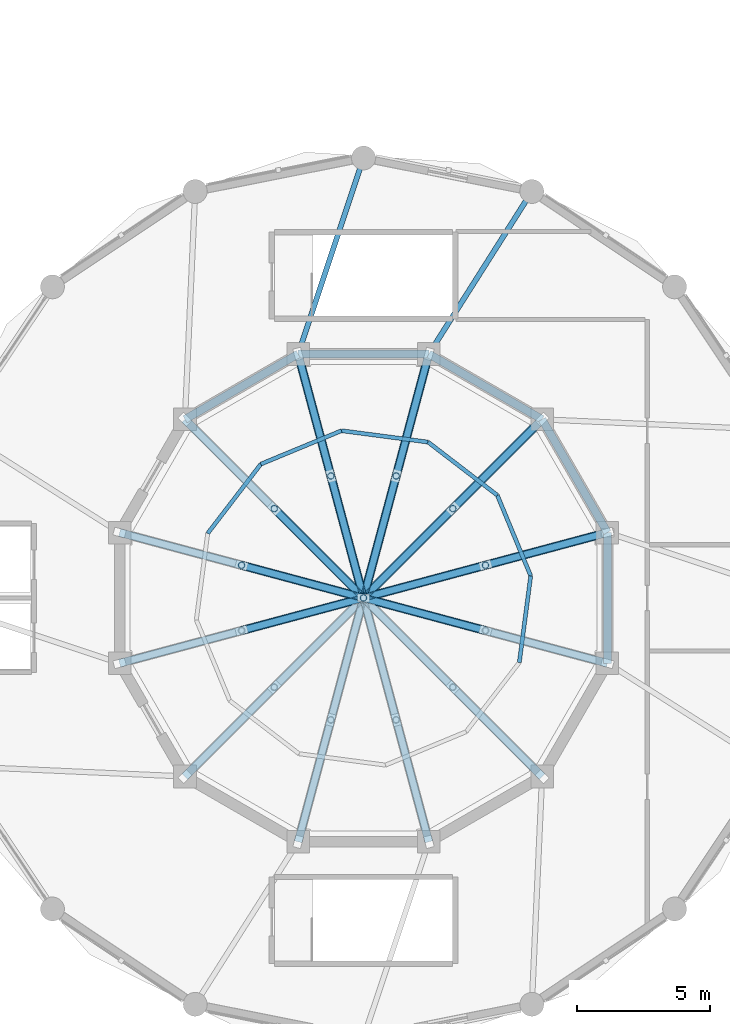
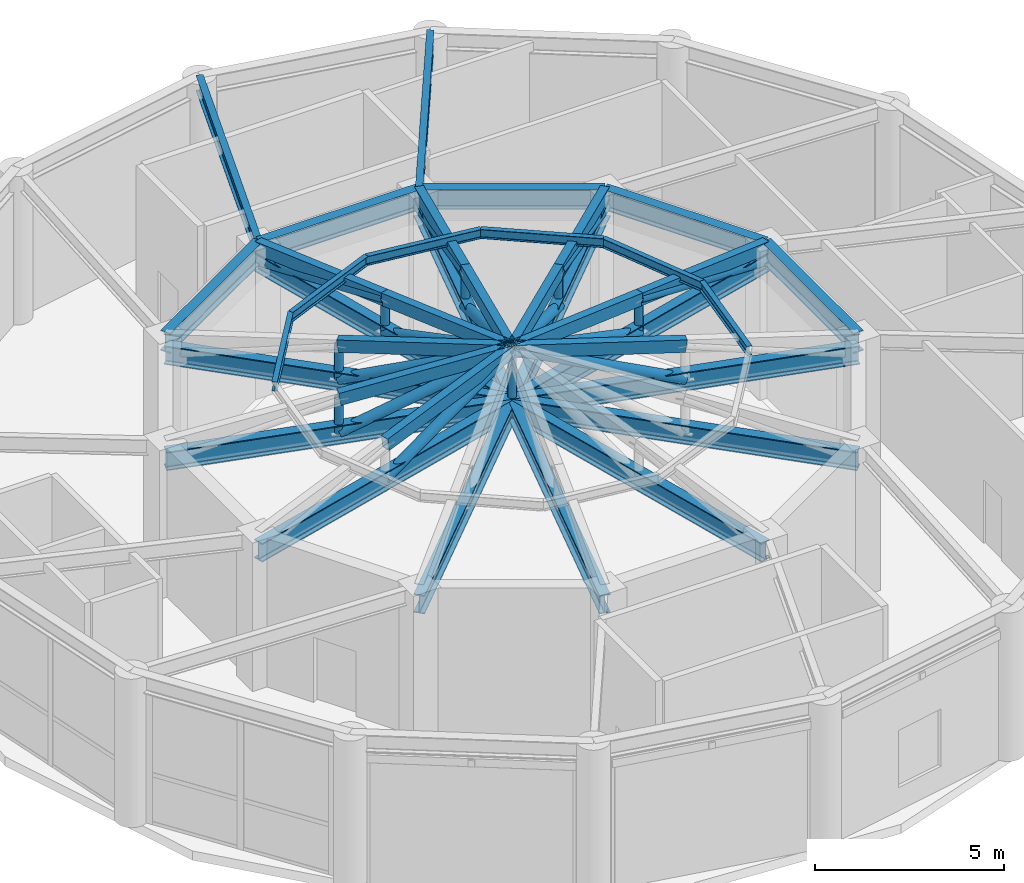
# One storey, part 12 of 26: 37 members, 13 beams.
"""IFC4 building model written with IfcOpenShell, lengths in metres."""

from ifc_helpers import new_model, si_unit, derived_unit, direction, frame, origin, origin_2d, place, context, subcontext, project, spatial, hollow_rectangle, hollow_circle, i_section, extrude, source, transform, mapped, material, material_profile, profile_set, type_object, element, save


model = new_model("IFC4")

# Units and contexts
model_context = context("Model", 3, precision=1e-05, world=origin(), true_north=direction((0.0, 1.0)))
body_context = subcontext(model_context, "Body", "Model", "MODEL_VIEW")
ifc_project = project(units=[si_unit("LENGTHUNIT", "METRE"), si_unit("AREAUNIT", "SQUARE_METRE"), si_unit("VOLUMEUNIT", "CUBIC_METRE"), si_unit("PLANEANGLEUNIT", "RADIAN"), si_unit("MASSUNIT", "GRAM", prefix="KILO"), derived_unit("THERMALTRANSMITTANCEUNIT", [(si_unit("POWERUNIT", "WATT"), 1), (si_unit("LENGTHUNIT", "METRE"), -2), (si_unit("THERMODYNAMICTEMPERATUREUNIT", "KELVIN"), -1)])], contexts=[model_context])

# Site, building, storey
site_placement = place(None, origin())
site = spatial("IfcSite", under=ifc_project, at=site_placement, CompositionType="ELEMENT")
building_placement = place(site_placement, origin())
building = spatial("IfcBuilding", under=site, at=building_placement, Name="Korsvarv Bourse and Concert Hall", CompositionType="ELEMENT")
storey_placement = place(building_placement, frame((0.0, 0.0, 19.199951171875)))
storey = spatial("IfcBuildingStorey", under=building, at=storey_placement, Name="L04", CompositionType="ELEMENT", Elevation=19.199951171875)

# Beams
ifc_material = material(Name="Steel S355", Category="steel")
ifc_material_profile_1 = material_profile(ifc_material, i_section(OverallWidth=0.300048828125, OverallDepth=0.64990234375, WebThickness=0.01611328125, FlangeThickness=0.031005859375, FilletRadius=0.027099609375, at=origin_2d()), Name="HEB 650")
ifc_profile_set_1 = profile_set([ifc_material_profile_1], Name="Steel S355")
beam_type_1 = type_object("IfcBeamType", Name="BM-HEB650", PredefinedType="BEAM", material=ifc_profile_set_1)
shared_shape_1 = source(origin(), body_context, "Body", "SweptSolid", [
    extrude(i_section(OverallWidth=0.300048828125, OverallDepth=0.64990234375, WebThickness=0.01611328125, FlangeThickness=0.031005859375, FilletRadius=0.027099609375, at=origin_2d()), origin(), (0.0, 0.0, 1.0), 4.91748046875),
])
for number, where, z_axis, x_axis, name in (
    (1, (115.976318359375, 38.458740234375, 4.47509765625), (-0.499988900423, 0.866031812033, 0.0), (-0.866031812033, -0.499988900423, 0.0), "L04 beam B-04"),
    (2, (113.517578125, 42.717529296875, 4.47509765625), (-0.866031812033, 0.499988900423, 0.0), (-0.499988900423, -0.866031812033, 0.0), "L04 beam B-04"),
    (3, (109.2587890625, 45.17626953125, 4.47509765625), (-1.0, 0.0, 0.0), (0.0, -1.0, 0.0), "L04 beam B-04"),
    (4, (104.34130859375, 45.17626953125, 4.47509765625), (-0.866031812033, -0.499988900423, 0.0), (0.499988900423, -0.866031812033, 0.0), "L04 beam B-04"),
    (5, (115.976318359375, 33.541259765625, 4.47509765625), (0.0, 1.0, 0.0), (-1.0, 0.0, 0.0), "L04 beam B-04"),
):
    element("IfcBeam", number, at=place(storey_placement, frame(where, z_axis=z_axis, x_axis=x_axis)), inside=storey, type_object=beam_type_1, Name=name, PredefinedType="BEAM", context=body_context, shape_type="MappedRepresentation", body=[
        mapped(shared_shape_1, transform((0.0, 0.0, 0.0), scale=1.0)),
    ])
ifc_material_profile_2 = material_profile(ifc_material, i_section(OverallWidth=0.199951171875, OverallDepth=0.5, WebThickness=0.01025390625, FlangeThickness=0.01611328125, FilletRadius=0.02099609375, at=origin_2d()), Name="IPE 500")
ifc_profile_set_2 = profile_set([ifc_material_profile_2], Name="Steel S355")
beam_type_2 = type_object("IfcBeamType", Name="BM-IPE500", PredefinedType="JOIST", material=ifc_profile_set_2)
shared_shape_2 = source(origin(), body_context, "Body", "SweptSolid", [
    extrude(i_section(OverallWidth=0.199951171875, OverallDepth=0.5, WebThickness=0.01025390625, FlangeThickness=0.01611328125, FilletRadius=0.02099609375, at=origin_2d()), origin(), (0.0, 0.0, 1.0), 7.77294921875),
])
beam_1_placement = place(storey_placement, frame((104.34130859375, 45.17626953125, 4.550048828125), z_axis=(0.316321992039, 0.948651884177, 0.0), x_axis=(-0.948651884177, 0.316321992039, 0.0)))
element("IfcBeam", 6, at=beam_1_placement, inside=storey, type_object=beam_type_2, Name="L04 beam J-03", PredefinedType="JOIST", context=body_context, shape_type="MappedRepresentation", body=[
    mapped(shared_shape_2, transform((0.0, 0.0, 0.0), scale=1.0)),
])
shared_shape_3 = source(origin(), body_context, "Body", "SweptSolid", [
    extrude(i_section(OverallWidth=0.199951171875, OverallDepth=0.5, WebThickness=0.01025390625, FlangeThickness=0.01611328125, FilletRadius=0.02099609375, at=origin_2d()), origin(), (0.0, 0.0, 1.0), 7.23828125),
])
beam_2_placement = place(storey_placement, frame((109.2587890625, 45.17626953125, 4.550048828125), z_axis=(0.535279150806, 0.844675222031, 0.0), x_axis=(-0.844675222031, 0.535279150806, 0.0)))
element("IfcBeam", 7, at=beam_2_placement, inside=storey, type_object=beam_type_2, Name="L04 beam J-03", PredefinedType="JOIST", context=body_context, shape_type="MappedRepresentation", body=[
    mapped(shared_shape_3, transform((0.0, 0.0, 0.0), scale=1.0)),
])
ifc_material_profile_3 = material_profile(ifc_material, i_section(OverallWidth=0.300048828125, OverallDepth=0.60009765625, WebThickness=0.015380859375, FlangeThickness=0.030029296875, FilletRadius=0.02392578125, at=origin_2d()), Name="HEB 600")
ifc_profile_set_3 = profile_set([ifc_material_profile_3], Name="Steel S355")
beam_type_3 = type_object("IfcBeamType", Name="BM-HEB600", PredefinedType="BEAM", material=ifc_profile_set_3)
shared_shape_4 = source(origin(), body_context, "Body", "SweptSolid", [
    extrude(i_section(OverallWidth=0.300048828125, OverallDepth=0.60009765625, WebThickness=0.015380859375, FlangeThickness=0.030029296875, FilletRadius=0.02392578125, at=origin_2d()), origin(), (0.0, 0.0, 1.0), 19.0),
])
for number, where, z_axis, x_axis, name in (
    (8, (115.976318359375, 38.458740234375, 4.150146484375), (-0.96592671513, -0.258815727879, 0.0), (0.258815727879, -0.96592671513, 0.0), "Concert Hall Roof Truss 1 Continuous Bottom Chord"),
    (9, (113.517578125, 42.717529296875, 4.150146484375), (-0.707106781187, -0.707106781187, 0.0), (0.707106781187, -0.707106781187, 0.0), "Concert Hall Roof Truss 2 Continuous Bottom Chord"),
    (10, (109.2587890625, 45.17626953125, 4.150146484375), (-0.258815727879, -0.96592671513, 0.0), (0.96592671513, -0.258815727879, 0.0), "Concert Hall Roof Truss 3 Continuous Bottom Chord"),
    (11, (104.34130859375, 45.17626953125, 4.150146484375), (0.258815727879, -0.96592671513, 0.0), (0.96592671513, 0.258815727879, 0.0), "Concert Hall Roof Truss 4 Continuous Bottom Chord"),
    (12, (100.08251953125, 42.717529296875, 4.150146484375), (0.707106781187, -0.707106781187, 0.0), (0.707106781187, 0.707106781187, 0.0), "Concert Hall Roof Truss 5 Continuous Bottom Chord"),
    (13, (97.623779296875, 38.458740234375, 4.150146484375), (0.96592671513, -0.258815727879, 0.0), (0.258815727879, 0.96592671513, 0.0), "Concert Hall Roof Truss 6 Continuous Bottom Chord"),
):
    element("IfcBeam", number, at=place(storey_placement, frame(where, z_axis=z_axis, x_axis=x_axis)), inside=storey, type_object=beam_type_3, Name=name, PredefinedType="BEAM", context=body_context, shape_type="MappedRepresentation", body=[
        mapped(shared_shape_4, transform((0.0, 0.0, 0.0), scale=1.0)),
    ])

# Members
ifc_material_profile_4 = material_profile(ifc_material, hollow_rectangle(XDim=0.25, YDim=0.39990234375, WallThickness=0.01611328125, at=origin_2d()), Name="RHS 400x250x16")
ifc_profile_set_4 = profile_set([ifc_material_profile_4], Name="Steel S355")
member_type_1 = type_object("IfcMemberType", Name="MEM-RHS400", PredefinedType="CHORD", material=ifc_profile_set_4)
shared_shape_5 = source(origin(), body_context, "Body", "SweptSolid", [
    extrude(hollow_rectangle(XDim=0.25, YDim=0.39990234375, WallThickness=0.01611328125, at=origin_2d()), origin(), (0.0, 0.0, 1.0), 4.79833984375),
])
for number, where, z_axis, x_axis, name in (
    (14, (115.976318359375, 38.458740234375, 4.60009765625), (-0.95618645144, -0.256180427978, 0.141700594224), (0.258791750001, -0.965933139576, 0.0), "Concert Hall Roof Truss 1 Top Chord 1"),
    (15, (111.38818359375, 37.2294921875, 5.280029296875), (-0.95617398709, -0.256227967806, 0.141698747089), (0.25883970528, -0.965920290174, 0.0), "Concert Hall Roof Truss 1 Top Chord 2"),
    (16, (106.800048828125, 36.0, 5.9599609375), (-0.95617398709, -0.256227967806, -0.141698747089), (0.25883970528, -0.965920290174, 0.0), "Concert Hall Roof Truss 1 Top Chord 3"),
    (17, (113.517578125, 42.717529296875, 4.60009765625), (-0.699997380561, -0.699946501263, 0.141698844662), (0.707081081763, -0.707132479676, 0.0), "Concert Hall Roof Truss 2 Top Chord 1"),
    (18, (110.15869140625, 39.35888671875, 5.280029296875), (-0.699946501263, -0.699997380561, 0.141698844662), (0.707132479676, -0.707081081763, 0.0), "Concert Hall Roof Truss 2 Top Chord 2"),
    (19, (109.2587890625, 45.17626953125, 4.60009765625), (-0.256227967806, -0.95617398709, 0.141698747089), (0.965920290174, -0.25883970528, 0.0), "Concert Hall Roof Truss 3 Top Chord 1"),
    (20, (108.029296875, 40.588134765625, 5.280029296875), (-0.256180427978, -0.95618645144, 0.141700594224), (0.965933139576, -0.258791750001, 0.0), "Concert Hall Roof Truss 3 Top Chord 2"),
    (21, (104.34130859375, 45.17626953125, 4.60009765625), (0.256180427978, -0.95618645144, 0.141700594224), (0.965933139576, 0.258791750001, 0.0), "Concert Hall Roof Truss 4 Top Chord 1"),
    (22, (105.570556640625, 40.588134765625, 5.280029296875), (0.256227967806, -0.95617398709, 0.141698747089), (0.965920290174, 0.25883970528, 0.0), "Concert Hall Roof Truss 4 Top Chord 2"),
    (23, (102.2119140625, 37.2294921875, 5.280029296875), (0.95617398709, -0.256227967806, 0.141698747089), (0.25883970528, 0.965920290174, 0.0), "Concert Hall Roof Truss 6 Top Chord 2"),
    (24, (106.800048828125, 36.0, 5.9599609375), (0.95617398709, -0.256227967806, -0.141698747089), (0.25883970528, 0.965920290174, 0.0), "Concert Hall Roof Truss 6 Top Chord 3"),
):
    element("IfcMember", number, at=place(storey_placement, frame(where, z_axis=z_axis, x_axis=x_axis)), inside=storey, type_object=member_type_1, Name=name, PredefinedType="CHORD", context=body_context, shape_type="MappedRepresentation", body=[
        mapped(shared_shape_5, transform((0.0, 0.0, 0.0), scale=1.0)),
    ])
ifc_material_profile_5 = material_profile(ifc_material, hollow_circle(Radius=0.161865234375, WallThickness=0.012451171875, at=origin_2d()), Name="CHS 323.9x12.5")
ifc_profile_set_5 = profile_set([ifc_material_profile_5], Name="Steel S355")
member_type_2 = type_object("IfcMemberType", Name="MEM-CHS324", PredefinedType="BRACE", material=ifc_profile_set_5)
shared_shape_6 = source(origin(), body_context, "Body", "SweptSolid", [
    extrude(hollow_circle(Radius=0.161865234375, WallThickness=0.012451171875, at=origin_2d()), origin(), (0.0, 0.0, 1.0), 4.882568359375),
])
for number, where, z_axis, x_axis, name in (
    (25, (115.976318359375, 38.458740234375, 4.150146484375), (-0.93971289474, -0.25176685069, 0.231415488578), (0.258791750001, -0.965933139576, 0.0), "Concert Hall Roof Truss 1 Web Diagonal 1"),
    (26, (113.517578125, 42.717529296875, 4.150146484375), (-0.687937840202, -0.687887837451, 0.231412728918), (0.707081081763, -0.707132479676, 0.0), "Concert Hall Roof Truss 2 Web Diagonal 1"),
    (27, (109.2587890625, 45.17626953125, 4.150146484375), (-0.251813683613, -0.939701063569, 0.231412575012), (0.965920290174, -0.25883970528, 0.0), "Concert Hall Roof Truss 3 Web Diagonal 1"),
    (28, (104.34130859375, 45.17626953125, 4.150146484375), (0.25176685069, -0.93971289474, 0.231415488578), (0.965933139576, 0.258791750001, 0.0), "Concert Hall Roof Truss 4 Web Diagonal 1"),
):
    element("IfcMember", number, at=place(storey_placement, frame(where, z_axis=z_axis, x_axis=x_axis)), inside=storey, type_object=member_type_2, Name=name, PredefinedType="BRACE", context=body_context, shape_type="MappedRepresentation", body=[
        mapped(shared_shape_6, transform((0.0, 0.0, 0.0), scale=1.0)),
    ])
shared_shape_7 = source(origin(), body_context, "Body", "SweptSolid", [
    extrude(hollow_circle(Radius=0.161865234375, WallThickness=0.012451171875, at=origin_2d()), origin(), (0.0, 0.0, 1.0), 5.0830078125),
])
for number, where, z_axis, x_axis, name in (
    (29, (111.38818359375, 37.2294921875, 4.150146484375), (-0.902622623198, -0.241877695441, 0.356044351927), (0.25883970528, -0.965920290174, 0.0), "Concert Hall Roof Truss 1 Web Diagonal 2"),
    (30, (102.2119140625, 34.7705078125, 4.150146484375), (0.902622623198, 0.241877695441, 0.356044351927), (-0.25883970528, 0.965920290174, 0.0), "Concert Hall Roof Truss 1 Web Diagonal 3"),
    (31, (110.15869140625, 39.35888671875, 4.150146484375), (-0.660745333206, -0.66079336296, 0.356044570404), (0.707132479676, -0.707081081763, 0.0), "Concert Hall Roof Truss 2 Web Diagonal 2"),
    (32, (108.029296875, 40.588134765625, 4.150146484375), (-0.241832474899, -0.902633108395, 0.356048487869), (0.965933139576, -0.258791750001, 0.0), "Concert Hall Roof Truss 3 Web Diagonal 2"),
    (33, (105.570556640625, 40.588134765625, 4.150146484375), (0.241877695441, -0.902622623198, 0.356044351927), (0.965920290174, 0.25883970528, 0.0), "Concert Hall Roof Truss 4 Web Diagonal 2"),
    (34, (102.2119140625, 37.2294921875, 4.150146484375), (0.902622623198, -0.241877695441, 0.356044351927), (0.25883970528, 0.965920290174, 0.0), "Concert Hall Roof Truss 6 Web Diagonal 2"),
    (35, (111.38818359375, 34.7705078125, 4.150146484375), (-0.902622623198, 0.241877695441, 0.356044351927), (-0.25883970528, -0.965920290174, 0.0), "Concert Hall Roof Truss 6 Web Diagonal 3"),
):
    element("IfcMember", number, at=place(storey_placement, frame(where, z_axis=z_axis, x_axis=x_axis)), inside=storey, type_object=member_type_2, Name=name, PredefinedType="BRACE", context=body_context, shape_type="MappedRepresentation", body=[
        mapped(shared_shape_7, transform((0.0, 0.0, 0.0), scale=1.0)),
    ])
ifc_material_profile_6 = material_profile(ifc_material, hollow_circle(Radius=0.122314453125, WallThickness=0.010009765625, at=origin_2d()), Name="CHS 244.5x10")
ifc_profile_set_6 = profile_set([ifc_material_profile_6], Name="Steel S355")
member_type_3 = type_object("IfcMemberType", Name="MEM-CHS245", PredefinedType="STRUT", material=ifc_profile_set_6)
shared_shape_8 = source(origin(), body_context, "Body", "SweptSolid", [
    extrude(hollow_circle(Radius=0.122314453125, WallThickness=0.010009765625, at=origin_2d()), origin(), (0.0, 0.0, 1.0), 1.1298828125),
])
for number, where, z_axis, x_axis, name in (
    (36, (111.38818359375, 37.2294921875, 4.150146484375), (0.0, 0.0, 1.0), (1.0, 0.0, 0.0), "Concert Hall Roof Truss 1 Vertical Strut 1"),
    (37, (110.15869140625, 39.35888671875, 4.150146484375), (0.0, 0.0, 1.0), (1.0, 0.0, 0.0), "Concert Hall Roof Truss 2 Vertical Strut 1"),
    (38, (108.029296875, 40.588134765625, 4.150146484375), (0.0, 0.0, 1.0), (1.0, 0.0, 0.0), "Concert Hall Roof Truss 3 Vertical Strut 1"),
    (39, (105.570556640625, 40.588134765625, 4.150146484375), (0.0, 0.0, 1.0), (1.0, 0.0, 0.0), "Concert Hall Roof Truss 4 Vertical Strut 1"),
    (40, (103.441162109375, 39.35888671875, 4.150146484375), (0.0, 0.0, 1.0), (1.0, 0.0, 0.0), "Concert Hall Roof Truss 5 Vertical Strut 1"),
    (41, (102.2119140625, 37.2294921875, 4.150146484375), (0.0, 0.0, 1.0), (1.0, 0.0, 0.0), "Concert Hall Roof Truss 6 Vertical Strut 1"),
):
    element("IfcMember", number, at=place(storey_placement, frame(where, z_axis=z_axis, x_axis=x_axis)), inside=storey, type_object=member_type_3, Name=name, PredefinedType="STRUT", context=body_context, shape_type="MappedRepresentation", body=[
        mapped(shared_shape_8, transform((0.0, 0.0, 0.0), scale=1.0)),
    ])
shared_shape_9 = source(origin(), body_context, "Body", "SweptSolid", [
    extrude(hollow_circle(Radius=0.122314453125, WallThickness=0.010009765625, at=origin_2d()), origin(), (0.0, 0.0, 1.0), 1.809814453125),
])
member_1_placement = place(storey_placement, frame((106.800048828125, 36.0, 4.150146484375), z_axis=(0.0, 0.0, 1.0), x_axis=(1.0, 0.0, 0.0)))
element("IfcMember", 42, at=member_1_placement, inside=storey, type_object=member_type_3, Name="Concert Hall Roof Truss 1 Vertical Strut 2", PredefinedType="STRUT", context=body_context, shape_type="MappedRepresentation", body=[
    mapped(shared_shape_9, transform((0.0, 0.0, 0.0), scale=1.0)),
])
shared_shape_10 = source(origin(), body_context, "Body", "SweptSolid", [
    extrude(hollow_rectangle(XDim=0.25, YDim=0.39990234375, WallThickness=0.01611328125, at=origin_2d()), origin(), (0.0, 0.0, 1.0), 4.798583984375),
])
member_2_placement = place(storey_placement, frame((103.441162109375, 39.35888671875, 5.280029296875), z_axis=(0.699972452129, -0.699972452129, 0.141693798458), x_axis=(0.707106781187, 0.707106781187, 0.0)))
element("IfcMember", 43, at=member_2_placement, inside=storey, type_object=member_type_1, Name="Concert Hall Roof Truss 5 Top Chord 2", PredefinedType="CHORD", context=body_context, shape_type="MappedRepresentation", body=[
    mapped(shared_shape_10, transform((0.0, 0.0, 0.0), scale=1.0)),
])
shared_shape_11 = source(origin(), body_context, "Body", "SweptSolid", [
    extrude(hollow_circle(Radius=0.161865234375, WallThickness=0.012451171875, at=origin_2d()), origin(), (0.0, 0.0, 1.0), 5.083251953125),
])
member_3_placement = place(storey_placement, frame((103.441162109375, 39.35888671875, 4.150146484375), z_axis=(0.660772392631, -0.660772392631, 0.356033271302), x_axis=(0.707106781187, 0.707106781187, 0.0)))
element("IfcMember", 44, at=member_3_placement, inside=storey, type_object=member_type_2, Name="Concert Hall Roof Truss 5 Web Diagonal 2", PredefinedType="BRACE", context=body_context, shape_type="MappedRepresentation", body=[
    mapped(shared_shape_11, transform((0.0, 0.0, 0.0), scale=1.0)),
])
ifc_material_profile_7 = material_profile(ifc_material, i_section(OverallWidth=0.14990234375, OverallDepth=0.300048828125, WebThickness=0.007080078125, FlangeThickness=0.0107421875, FilletRadius=0.014892578125, at=origin_2d()), Name="IPE 300")
ifc_profile_set_7 = profile_set([ifc_material_profile_7], Name="Steel S355")
member_type_4 = type_object("IfcMemberType", Name="MEM-PUR300", PredefinedType="PURLIN", material=ifc_profile_set_7)
shared_shape_12 = source(origin(), body_context, "Body", "SweptSolid", [
    extrude(i_section(OverallWidth=0.14990234375, OverallDepth=0.300048828125, WebThickness=0.007080078125, FlangeThickness=0.0107421875, FilletRadius=0.014892578125, at=origin_2d()), origin(), (0.0, 0.0, 1.0), 3.2841796875),
])
for number, where, z_axis, x_axis, name in (
    (45, (113.09033203125, 36.828125, 5.330078125), (-0.382693194178, 0.923875488976, 0.0), (-0.923875488976, -0.382693194178, 0.0), "Concert Hall Auditorium Roof Purlin 1"),
    (46, (111.83349609375, 39.8623046875, 5.330078125), (-0.793314335777, 0.60881225731, 0.0), (-0.60881225731, -0.793314335777, 0.0), "Concert Hall Auditorium Roof Purlin 2"),
    (47, (109.22802734375, 41.86181640625, 5.330078125), (-0.991453030375, 0.130464127488, 0.0), (-0.130464127488, -0.991453030375, 0.0), "Concert Hall Auditorium Roof Purlin 3"),
    (48, (102.9375, 41.033447265625, 5.330078125), (-0.608765470916, -0.79335023881, 0.0), (0.79335023881, -0.608765470916, 0.0), "Concert Hall Auditorium Roof Purlin 5"),
    (49, (112.66162109375, 33.572021484375, 5.330078125), (0.130537199651, 0.991443412156, 0.0), (-0.991443412156, 0.130537199651, 0.0), "Concert Hall Auditorium Roof Purlin 12"),
):
    element("IfcMember", number, at=place(storey_placement, frame(where, z_axis=z_axis, x_axis=x_axis)), inside=storey, type_object=member_type_4, Name=name, PredefinedType="PURLIN", context=body_context, shape_type="MappedRepresentation", body=[
        mapped(shared_shape_12, transform((0.0, 0.0, 0.0), scale=1.0)),
    ])
shared_shape_13 = source(origin(), body_context, "Body", "SweptSolid", [
    extrude(i_section(OverallWidth=0.14990234375, OverallDepth=0.300048828125, WebThickness=0.007080078125, FlangeThickness=0.0107421875, FilletRadius=0.014892578125, at=origin_2d()), origin(), (0.0, 0.0, 1.0), 3.284423828125),
])
member_4_placement = place(storey_placement, frame((105.971923828125, 42.290283203125, 5.330078125), z_axis=(-0.923886374991, -0.382666912741, 0.0), x_axis=(0.382666912741, -0.923886374991, 0.0)))
element("IfcMember", 50, at=member_4_placement, inside=storey, type_object=member_type_4, Name="Concert Hall Auditorium Roof Purlin 4", PredefinedType="PURLIN", context=body_context, shape_type="MappedRepresentation", body=[
    mapped(shared_shape_13, transform((0.0, 0.0, 0.0), scale=1.0)),
])

save(model, "model.ifc")
